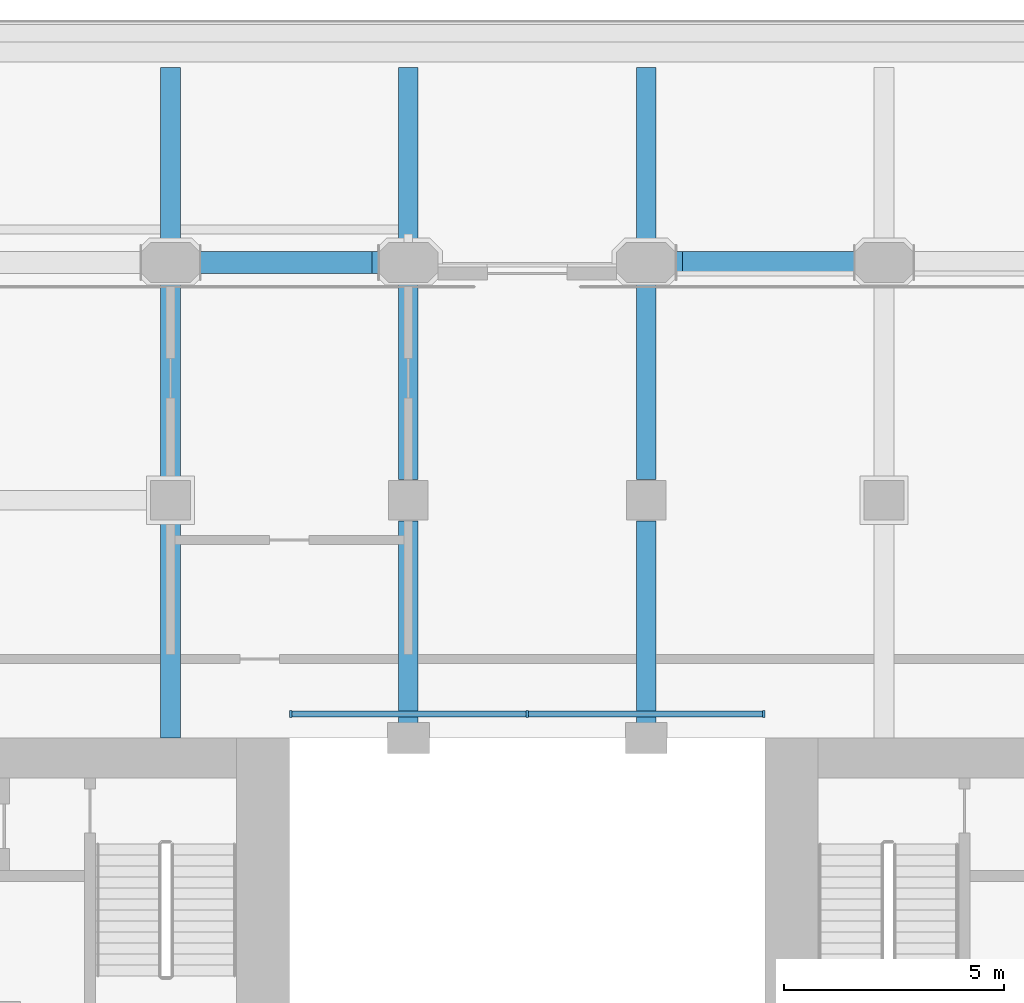
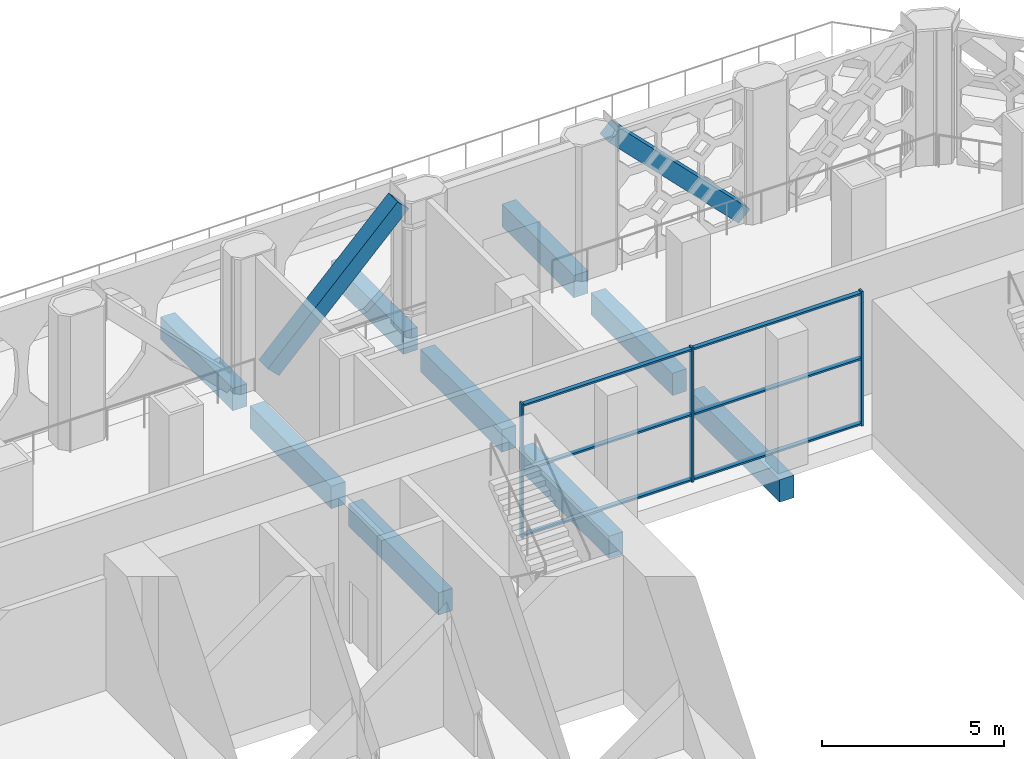
# One storey, part 4 of 17: 11 members, 9 beams, 1 element without a shape of its own.
"""IFC4 building model written with IfcOpenShell, lengths in metres."""

from ifc_helpers import new_model, si_unit, direction, frame, origin, origin_2d, place, context, subcontext, project, spatial, rectangle, extrude, material, material_profile, profile_set, type_object, element, aggregate, save


model = new_model("IFC4")

# Units and contexts
model_context = context("Model", 3, precision=1e-05, world=origin(), true_north=direction((0.0, 1.0)))
body_context = subcontext(model_context, "Body", "Model", "MODEL_VIEW")
ifc_project = project(units=[si_unit("LENGTHUNIT", "METRE"), si_unit("AREAUNIT", "SQUARE_METRE"), si_unit("VOLUMEUNIT", "CUBIC_METRE"), si_unit("PLANEANGLEUNIT", "RADIAN"), si_unit("MASSUNIT", "GRAM", prefix="KILO")], contexts=[model_context])

# Site, building, storey
site_placement = place(None, origin())
site = spatial("IfcSite", under=ifc_project, at=site_placement, CompositionType="ELEMENT")
building_placement = place(site_placement, origin())
building = spatial("IfcBuilding", under=site, at=building_placement, Name="Tabaq Tower and Sports Hall", CompositionType="ELEMENT")
storey_placement = place(building_placement, frame((0.0, 0.0, 125.800048828125)))
storey = spatial("IfcBuildingStorey", under=building, at=storey_placement, Name="L30", CompositionType="ELEMENT", Elevation=125.800048828125)

# Curtain wall, members
ifc_material_1 = material(Name="Aluminium alloy 6063-T6 framed glazing", Category="aluminium")
curtain_wall_type = type_object("IfcCurtainWallType", Name="CW1 curtain wall", PredefinedType="USERDEFINED", material=ifc_material_1)
curtain_wall_placement = place(storey_placement, origin())
curtain_wall = element("IfcCurtainWall", 1, at=curtain_wall_placement, inside=storey, type_object=curtain_wall_type, Name="Atrium glazing L30 N", ObjectType="ATRIUM ENCLOSURE", PredefinedType="USERDEFINED")
ifc_material_2 = material(Name="Aluminium alloy 6063-T6", Category="aluminium")
ifc_material_profile_1 = material_profile(ifc_material_2, rectangle(XDim=0.159912109375, YDim=0.06005859375, at=origin_2d()), Name="MULLION 160x60")
ifc_profile_set_1 = profile_set([ifc_material_profile_1], Name="Aluminium alloy 6063-T6")
member_type_1 = type_object("IfcMemberType", Name="CW1 mullion 160x60", PredefinedType="MULLION", material=ifc_profile_set_1)
member_1_placement = place(storey_placement, frame((18.929931640625, 32.949951171875, 0.0), z_axis=(0.0, 0.0, 1.0), x_axis=(0.0, 1.0, 0.0)))
member_1 = element("IfcMember", 2, at=member_1_placement, type_object=member_type_1, Name="CW1 mullion 1", PredefinedType="MULLION", context=body_context, shape_type="SweptSolid", body=[
    extrude(rectangle(XDim=0.159912109375, YDim=0.06005859375, at=origin_2d()), origin(), (0.0, 0.0, 1.0), 4.5),
])
member_2_placement = place(storey_placement, frame((24.300048828125, 32.949951171875, 0.0), z_axis=(0.0, 0.0, 1.0), x_axis=(0.0, 1.0, 0.0)))
member_2 = element("IfcMember", 3, at=member_2_placement, type_object=member_type_1, Name="CW1 mullion 2", PredefinedType="MULLION", context=body_context, shape_type="SweptSolid", body=[
    extrude(rectangle(XDim=0.159912109375, YDim=0.06005859375, at=origin_2d()), origin(), (0.0, 0.0, 1.0), 4.5),
])
member_3_placement = place(storey_placement, frame((29.669921875, 32.949951171875, 0.0), z_axis=(0.0, 0.0, 1.0), x_axis=(0.0, 1.0, 0.0)))
member_3 = element("IfcMember", 4, at=member_3_placement, type_object=member_type_1, Name="CW1 mullion 3", PredefinedType="MULLION", context=body_context, shape_type="SweptSolid", body=[
    extrude(rectangle(XDim=0.159912109375, YDim=0.06005859375, at=origin_2d()), origin(), (0.0, 0.0, 1.0), 4.5),
])
ifc_material_3 = material(Name="Aluminium alloy 6063-T6", Category="aluminium")
ifc_material_profile_2 = material_profile(ifc_material_3, rectangle(XDim=0.139892578125, YDim=0.06005859375, at=origin_2d()), Name="TRANSOM 140x60")
ifc_profile_set_2 = profile_set([ifc_material_profile_2], Name="Aluminium alloy 6063-T6")
member_type_2 = type_object("IfcMemberType", Name="CW1 transom 140x60", PredefinedType="USERDEFINED", material=ifc_profile_set_2)
member_4_placement = place(storey_placement, frame((18.9599609375, 32.949951171875, 0.070068359375), z_axis=(1.0, 0.0, 0.0), x_axis=(0.0, 1.0, 0.0)))
member_4 = element("IfcMember", 5, at=member_4_placement, type_object=member_type_2, Name="CW1 transom 1.1", ObjectType="TRANSOM", PredefinedType="USERDEFINED", context=body_context, shape_type="SweptSolid", body=[
    extrude(rectangle(XDim=0.139892578125, YDim=0.06005859375, at=origin_2d()), origin(), (0.0, 0.0, 1.0), 5.31005859375),
])
member_5_placement = place(storey_placement, frame((18.9599609375, 32.949951171875, 2.25), z_axis=(1.0, 0.0, 0.0), x_axis=(0.0, 1.0, 0.0)))
member_5 = element("IfcMember", 6, at=member_5_placement, type_object=member_type_2, Name="CW1 transom 1.2", ObjectType="TRANSOM", PredefinedType="USERDEFINED", context=body_context, shape_type="SweptSolid", body=[
    extrude(rectangle(XDim=0.139892578125, YDim=0.06005859375, at=origin_2d()), origin(), (0.0, 0.0, 1.0), 5.31005859375),
])
member_6_placement = place(storey_placement, frame((18.9599609375, 32.949951171875, 4.429931640625), z_axis=(1.0, 0.0, 0.0), x_axis=(0.0, 1.0, 0.0)))
member_6 = element("IfcMember", 7, at=member_6_placement, type_object=member_type_2, Name="CW1 transom 1.3", ObjectType="TRANSOM", PredefinedType="USERDEFINED", context=body_context, shape_type="SweptSolid", body=[
    extrude(rectangle(XDim=0.139892578125, YDim=0.06005859375, at=origin_2d()), origin(), (0.0, 0.0, 1.0), 5.31005859375),
])
member_7_placement = place(storey_placement, frame((24.330078125, 32.949951171875, 0.070068359375), z_axis=(1.0, 0.0, 0.0), x_axis=(0.0, 1.0, 0.0)))
member_7 = element("IfcMember", 8, at=member_7_placement, type_object=member_type_2, Name="CW1 transom 2.1", ObjectType="TRANSOM", PredefinedType="USERDEFINED", context=body_context, shape_type="SweptSolid", body=[
    extrude(rectangle(XDim=0.139892578125, YDim=0.06005859375, at=origin_2d()), origin(), (0.0, 0.0, 1.0), 5.309814453125),
])
member_8_placement = place(storey_placement, frame((24.330078125, 32.949951171875, 2.25), z_axis=(1.0, 0.0, 0.0), x_axis=(0.0, 1.0, 0.0)))
member_8 = element("IfcMember", 9, at=member_8_placement, type_object=member_type_2, Name="CW1 transom 2.2", ObjectType="TRANSOM", PredefinedType="USERDEFINED", context=body_context, shape_type="SweptSolid", body=[
    extrude(rectangle(XDim=0.139892578125, YDim=0.06005859375, at=origin_2d()), origin(), (0.0, 0.0, 1.0), 5.309814453125),
])
member_9_placement = place(storey_placement, frame((24.330078125, 32.949951171875, 4.429931640625), z_axis=(1.0, 0.0, 0.0), x_axis=(0.0, 1.0, 0.0)))
member_9 = element("IfcMember", 10, at=member_9_placement, type_object=member_type_2, Name="CW1 transom 2.3", ObjectType="TRANSOM", PredefinedType="USERDEFINED", context=body_context, shape_type="SweptSolid", body=[
    extrude(rectangle(XDim=0.139892578125, YDim=0.06005859375, at=origin_2d()), origin(), (0.0, 0.0, 1.0), 5.309814453125),
])
aggregate(curtain_wall, [member_1, member_2, member_3, member_4, member_5, member_6, member_7, member_8, member_9])

# Beams
ifc_material_4 = material(Name="Concrete C40/50", Category="concrete")
ifc_material_profile_3 = material_profile(ifc_material_4, rectangle(XDim=0.449951171875, YDim=0.75, at=origin_2d()), Name="CB 450x750")
ifc_profile_set_3 = profile_set([ifc_material_profile_3], Name="Concrete C40/50")
beam_type = type_object("IfcBeamType", Name="PT CANTILEVER BEAM CB 450x750 C40/50", PredefinedType="BEAM", material=ifc_profile_set_3)
beam_1_placement = place(storey_placement, frame((16.199951171875, 47.625, -0.875), z_axis=(0.0, -1.0, 0.0), x_axis=(1.0, 0.0, 0.0)))
element("IfcBeam", 11, at=beam_1_placement, inside=storey, type_object=beam_type, Name="Cantilever Beam L30 N3 span 1", PredefinedType="BEAM", context=body_context, shape_type="SweptSolid", body=[
    extrude(rectangle(XDim=0.449951171875, YDim=0.75, at=origin_2d()), origin(), (0.0, 0.0, 1.0), 3.949951171875),
])
beam_2_placement = place(storey_placement, frame((16.199951171875, 42.72509765625, -0.875), z_axis=(0.0, -1.0, 0.0), x_axis=(1.0, 0.0, 0.0)))
element("IfcBeam", 12, at=beam_2_placement, inside=storey, type_object=beam_type, Name="Cantilever Beam L30 N3 span 2", PredefinedType="BEAM", context=body_context, shape_type="SweptSolid", body=[
    extrude(rectangle(XDim=0.449951171875, YDim=0.75, at=origin_2d()), origin(), (0.0, 0.0, 1.0), 4.4501953125),
])
beam_3_placement = place(storey_placement, frame((16.199951171875, 37.324951171875, -0.875), z_axis=(0.0, -1.0, 0.0), x_axis=(1.0, 0.0, 0.0)))
element("IfcBeam", 13, at=beam_3_placement, inside=storey, type_object=beam_type, Name="Cantilever Beam L30 N3 span 3", PredefinedType="BEAM", context=body_context, shape_type="SweptSolid", body=[
    extrude(rectangle(XDim=0.449951171875, YDim=0.75, at=origin_2d()), origin(), (0.0, 0.0, 1.0), 4.925048828125),
])
beam_4_placement = place(storey_placement, frame((21.60009765625, 47.625, -0.875), z_axis=(0.0, -1.0, 0.0), x_axis=(1.0, 0.0, 0.0)))
element("IfcBeam", 14, at=beam_4_placement, inside=storey, type_object=beam_type, Name="Cantilever Beam L30 N4 span 1", PredefinedType="BEAM", context=body_context, shape_type="SweptSolid", body=[
    extrude(rectangle(XDim=0.449951171875, YDim=0.75, at=origin_2d()), origin(), (0.0, 0.0, 1.0), 3.949951171875),
])
beam_5_placement = place(storey_placement, frame((21.60009765625, 42.72509765625, -0.875), z_axis=(0.0, -1.0, 0.0), x_axis=(1.0, 0.0, 0.0)))
element("IfcBeam", 15, at=beam_5_placement, inside=storey, type_object=beam_type, Name="Cantilever Beam L30 N4 span 2", PredefinedType="BEAM", context=body_context, shape_type="SweptSolid", body=[
    extrude(rectangle(XDim=0.449951171875, YDim=0.75, at=origin_2d()), origin(), (0.0, 0.0, 1.0), 4.4501953125),
])
beam_6_placement = place(storey_placement, frame((21.60009765625, 37.324951171875, -0.875), z_axis=(0.0, -1.0, 0.0), x_axis=(1.0, 0.0, 0.0)))
element("IfcBeam", 16, at=beam_6_placement, inside=storey, type_object=beam_type, Name="Cantilever Beam L30 N4 span 3", PredefinedType="BEAM", context=body_context, shape_type="SweptSolid", body=[
    extrude(rectangle(XDim=0.449951171875, YDim=0.75, at=origin_2d()), origin(), (0.0, 0.0, 1.0), 4.925048828125),
])
beam_7_placement = place(storey_placement, frame((27.0, 47.625, -0.875), z_axis=(0.0, -1.0, 0.0), x_axis=(1.0, 0.0, 0.0)))
element("IfcBeam", 17, at=beam_7_placement, inside=storey, type_object=beam_type, Name="Cantilever Beam L30 N5 span 1", PredefinedType="BEAM", context=body_context, shape_type="SweptSolid", body=[
    extrude(rectangle(XDim=0.449951171875, YDim=0.75, at=origin_2d()), origin(), (0.0, 0.0, 1.0), 3.949951171875),
])
beam_8_placement = place(storey_placement, frame((27.0, 42.72509765625, -0.875), z_axis=(0.0, -1.0, 0.0), x_axis=(1.0, 0.0, 0.0)))
element("IfcBeam", 18, at=beam_8_placement, inside=storey, type_object=beam_type, Name="Cantilever Beam L30 N5 span 2", PredefinedType="BEAM", context=body_context, shape_type="SweptSolid", body=[
    extrude(rectangle(XDim=0.449951171875, YDim=0.75, at=origin_2d()), origin(), (0.0, 0.0, 1.0), 4.4501953125),
])
beam_9_placement = place(storey_placement, frame((27.0, 37.324951171875, -0.875), z_axis=(0.0, -1.0, 0.0), x_axis=(1.0, 0.0, 0.0)))
element("IfcBeam", 19, at=beam_9_placement, inside=storey, type_object=beam_type, Name="Cantilever Beam L30 N5 span 3", PredefinedType="BEAM", context=body_context, shape_type="SweptSolid", body=[
    extrude(rectangle(XDim=0.449951171875, YDim=0.75, at=origin_2d()), origin(), (0.0, 0.0, 1.0), 4.925048828125),
])

# Members
ifc_material_5 = material(Name="Concrete C50/60", Category="concrete")
ifc_material_profile_4 = material_profile(ifc_material_5, rectangle(XDim=0.5, YDim=0.5, at=origin_2d()), Name="BELT STRUT 500x500")
ifc_profile_set_4 = profile_set([ifc_material_profile_4], Name="Concrete C50/60")
member_type_3 = type_object("IfcMemberType", Name="RC BELT TRUSS STRUT BELT STRUT 500x500 C50/60", PredefinedType="BRACE", material=ifc_profile_set_4)
member_10_placement = place(storey_placement, frame((31.7548828125, 43.199951171875, 0.176025390625), z_axis=(-0.703838041285, 0.0, 0.710360480066), x_axis=(0.0, -1.0, 0.0)))
element("IfcMember", 20, at=member_10_placement, inside=storey, type_object=member_type_3, Name="Belt Truss Strut L30 3", PredefinedType="BRACE", context=body_context, shape_type="SweptSolid", body=[
    extrude(rectangle(XDim=0.5, YDim=0.5, at=origin_2d()), origin(), (0.0, 0.0, 1.0), 5.839111328125),
])
member_11_placement = place(storey_placement, frame((16.844970703125, 43.199951171875, 0.176025390625), z_axis=(0.703859138437, 0.0, 0.710339576005), x_axis=(0.0, 1.0, 0.0)))
element("IfcMember", 21, at=member_11_placement, inside=storey, type_object=member_type_3, Name="Belt Truss Strut L30 4", PredefinedType="BRACE", context=body_context, shape_type="SweptSolid", body=[
    extrude(rectangle(XDim=0.5, YDim=0.5, at=origin_2d()), origin(), (0.0, 0.0, 1.0), 5.83935546875),
])

save(model, "model.ifc")
